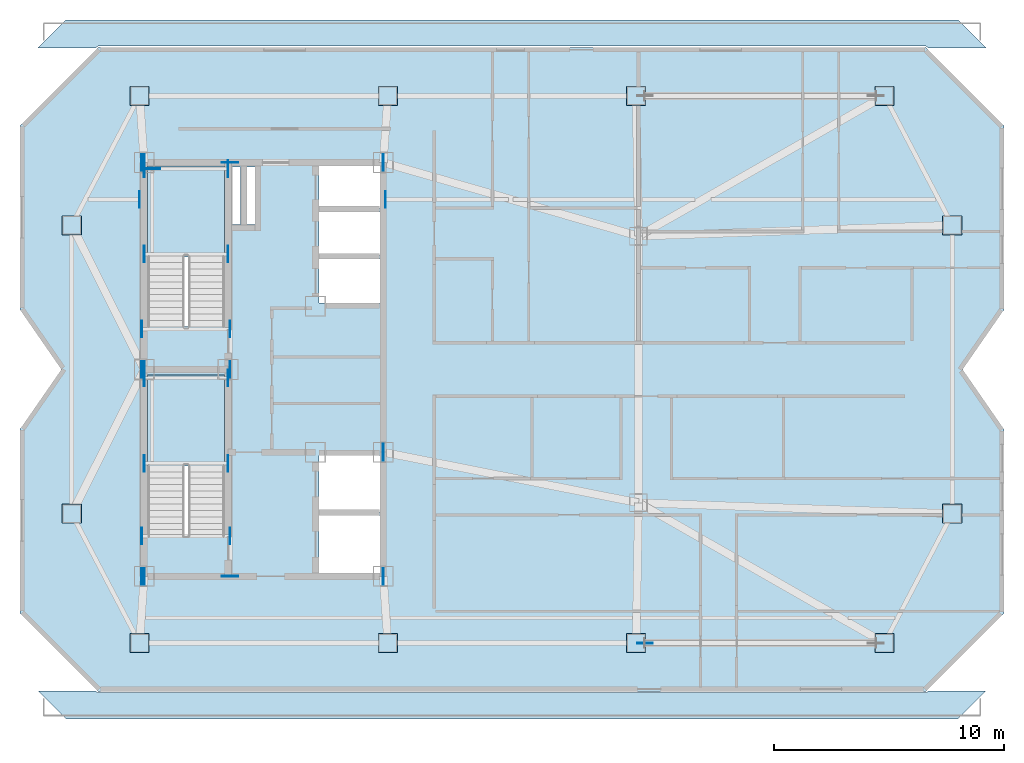
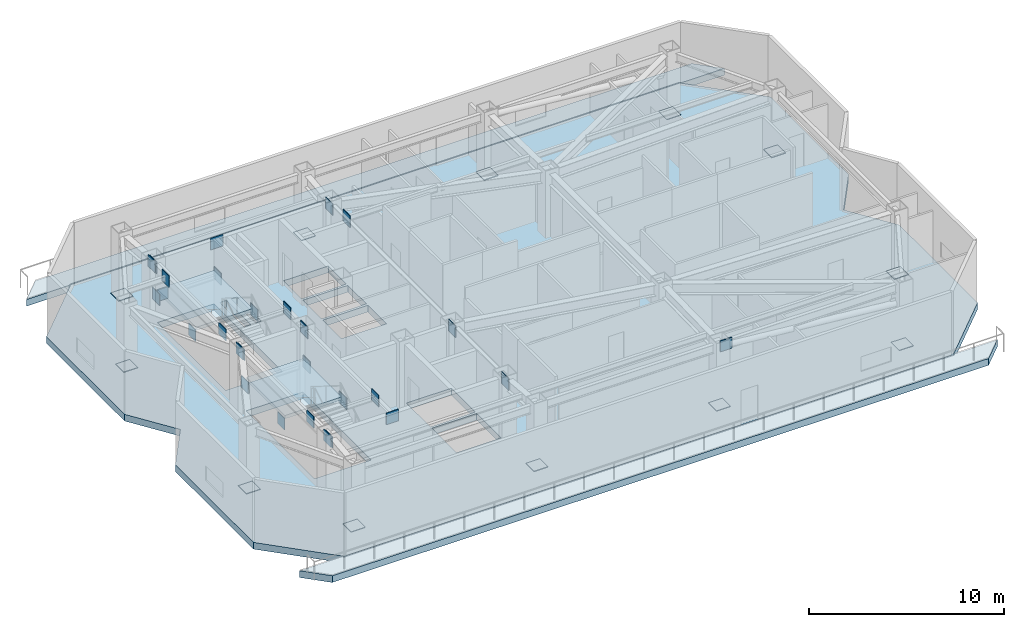
# One storey, part 2 of 11: 40 plates, 5 slabs, 2 elements without a shape of their own.
"""IFC4 building model written with IfcOpenShell, lengths in metres."""

import ifcopenshell
import ifcopenshell.guid

model = None  # the IFC model being written
_history = None  # IfcOwnerHistory: only IFC2X3 demands one
_inside = {}  # id of a spatial element -> (the spatial element, [elements in it])
_under = {}  # id of a project, library or spatial element -> (it, [spatial elements below it])
_declared = {}  # id of a project -> (the project, [libraries it declares])
_typed = {}  # id of a type object -> (the type object, [elements of that type])
_made_of = {}  # id of a material, layer set ... -> (it, [elements and type objects made of it])


def new_model(schema):
    """Start an empty IFC model of exactly this schema.

    Asked for "IFC4X3", IfcOpenShell would pick the latest addendum, in which some entities
    have other attributes; the version numbers below select the first issue.
    IFC2X3 requires an IfcOwnerHistory on every rooted entity: one is made here for all.
    """
    global model, _history
    if schema == "IFC4X3":
        model = ifcopenshell.file(schema_version=(4, 3, 0, 0))
    else:
        model = ifcopenshell.file(schema=schema)
    _inside.clear()
    _under.clear()
    _declared.clear()
    _typed.clear()
    _made_of.clear()
    _history = None
    if model.schema == "IFC2X3":
        org = make("IfcOrganization", Name="unknown")
        user = make(
            "IfcPersonAndOrganization",
            ThePerson=make("IfcPerson", FamilyName="unknown"),
            TheOrganization=org,
        )
        app = make(
            "IfcApplication",
            ApplicationDeveloper=org,
            Version="unknown",
            ApplicationFullName="unknown",
            ApplicationIdentifier="unknown",
        )
        _history = make(
            "IfcOwnerHistory",
            OwningUser=user,
            OwningApplication=app,
            ChangeAction="ADDED",
            CreationDate=0,
        )
    return model


def make(cls, **values):
    """One entity of the class cls with the attributes given. An attribute that is None is left unset."""
    return model.create_entity(
        cls, **{name: value for name, value in values.items() if value is not None}
    )


def rooted(cls, **values):
    """An entity with a GlobalId (a new one), such as an element, a storey or a relation."""
    return make(cls, GlobalId=ifcopenshell.guid.new(), OwnerHistory=_history, **values)


def si_unit(unit_type, name, prefix=None):
    """IfcSIUnit, for example si_unit("LENGTHUNIT", "METRE", prefix="MILLI")."""
    return make("IfcSIUnit", UnitType=unit_type, Prefix=prefix, Name=name)


def assignment(units):
    """IfcUnitAssignment: the units of a project."""
    return None if units is None else make("IfcUnitAssignment", Units=units)


def point(xyz):
    """IfcCartesianPoint."""
    return None if xyz is None else make("IfcCartesianPoint", Coordinates=xyz)


def direction(xyz):
    """IfcDirection."""
    return None if xyz is None else make("IfcDirection", DirectionRatios=xyz)


def frame(location, z_axis=None, x_axis=None):
    """IfcAxis2Placement3D, a coordinate frame: its origin and axes. An axis left out is left unset."""
    return make(
        "IfcAxis2Placement3D",
        Location=point(location),
        Axis=direction(z_axis),
        RefDirection=direction(x_axis),
    )


def frame_2d(location, x_axis=None):
    """IfcAxis2Placement2D, a coordinate frame in the plane: its origin and x axis."""
    return make(
        "IfcAxis2Placement2D", Location=point(location), RefDirection=direction(x_axis)
    )


def origin():
    """The frame at (0, 0, 0) with its axes left unset."""
    return frame((0.0, 0.0, 0.0))


def origin_2d():
    """The frame at (0, 0) in the plane with its x axis left unset."""
    return frame_2d((0.0, 0.0))


def place(relative_to, where):
    """IfcLocalPlacement: puts the frame where relative to a parent placement (None: the world)."""
    return make(
        "IfcLocalPlacement", PlacementRelTo=relative_to, RelativePlacement=where
    )


def context(
    kind, dimensions, precision=None, world=None, true_north=None, identifier=None
):
    """IfcGeometricRepresentationContext, for example the 3D "Model" context."""
    return make(
        "IfcGeometricRepresentationContext",
        ContextIdentifier=identifier,
        ContextType=kind,
        CoordinateSpaceDimension=dimensions,
        Precision=precision,
        WorldCoordinateSystem=world,
        TrueNorth=true_north,
    )


def subcontext(parent, identifier, kind, view, scale=None):
    """IfcGeometricRepresentationSubContext, for example "Body" below "Model"."""
    return make(
        "IfcGeometricRepresentationSubContext",
        ContextIdentifier=identifier,
        ContextType=kind,
        ParentContext=parent,
        TargetScale=scale,
        TargetView=view,
    )


def project(units=None, contexts=None):
    """IfcProject with its units and contexts."""
    return rooted(
        "IfcProject",
        Name="project",
        RepresentationContexts=contexts,
        UnitsInContext=assignment(units),
    )


def spatial(cls, under=None, at=None, **own):
    """A site, building, storey or space (cls), placed at a placement, below another one or the project."""
    s = rooted(cls, ObjectPlacement=at, **own)
    if under is not None:
        _under.setdefault(under.id(), (under, []))[1].append(s)
    return s


def polyline(points):
    """IfcPolyline through the points."""
    return make("IfcPolyline", Points=[point(p) for p in points])


def profile(cls, at=None, kind="AREA", **sizes):
    """A parametric profile (cls). Its sizes go by their IFC names, for example OverallWidth=200.0."""
    return make(cls, ProfileType=kind, Position=at, **sizes)


def rectangle(**sizes):
    """IfcRectangleProfileDef."""
    return profile("IfcRectangleProfileDef", **sizes)


def outline(outer, holes=None, kind="AREA"):
    """IfcArbitraryClosedProfileDef: a profile drawn as a closed curve; with holes, ...WithVoids."""
    if holes is None:
        return make("IfcArbitraryClosedProfileDef", ProfileType=kind, OuterCurve=outer)
    return make(
        "IfcArbitraryProfileDefWithVoids",
        ProfileType=kind,
        OuterCurve=outer,
        InnerCurves=holes,
    )


def extrude(swept, where, along, depth):
    """IfcExtrudedAreaSolid: the profile swept, set in the frame where, extruded along a direction by depth."""
    return make(
        "IfcExtrudedAreaSolid",
        SweptArea=swept,
        Position=where,
        ExtrudedDirection=direction(along),
        Depth=depth,
    )


def shape(context_of_items, identifier, shape_type, items):
    """IfcShapeRepresentation: the items that make up one representation, for example the "Body"."""
    return make(
        "IfcShapeRepresentation",
        ContextOfItems=context_of_items,
        RepresentationIdentifier=identifier,
        RepresentationType=shape_type,
        Items=items,
    )


def material(Name=None, Category=None):
    """IfcMaterial."""
    return make("IfcMaterial", Name=Name, Category=Category)


def layer(
    of_material, thickness, ventilated=None, Name=None, Category=None, Priority=None
):
    """IfcMaterialLayer: one layer of a wall or slab, of a material (None: an air gap)."""
    return make(
        "IfcMaterialLayer",
        Material=of_material,
        LayerThickness=thickness,
        IsVentilated=ventilated,
        Name=Name,
        Category=Category,
        Priority=Priority,
    )


def layer_set(layers, Name=None):
    """IfcMaterialLayerSet."""
    return make("IfcMaterialLayerSet", MaterialLayers=layers, LayerSetName=Name)


def made_of(thing, what):
    """Note that an element or type object is made of a material, layer set ...; save() writes the relation."""
    if what is not None:
        _made_of.setdefault(what.id(), (what, []))[1].append(thing)
    return thing


def type_object(cls, material=None, **own):
    """A type object (cls), such as IfcWallType, which elements share."""
    return made_of(rooted(cls, **own), material)


def element(
    cls,
    number,
    at=None,
    inside=None,
    cuts=None,
    type_object=None,
    material=None,
    context=None,
    identifier="Body",
    shape_type=None,
    held_by="IfcProductDefinitionShape",
    body=None,
    shapes=None,
    **own,
):
    """One element of the class cls, such as IfcWall. Its Tag is "e" and its number.

    at: its placement. inside: the storey or other place that contains it. cuts: it is an
    opening in that element (IfcRelVoidsElement). A single representation is given by context,
    identifier, shape_type and body (its items); several are given by shapes. held_by: the class
    of the entity that holds the representations. save() writes the other relations.
    """
    e = rooted(cls, Tag="e%d" % number, ObjectPlacement=at, **own)
    if body is not None:
        shapes = [shape(context, identifier, shape_type, body)]
    if shapes is not None:
        e.Representation = make(held_by, Representations=shapes)
    if inside is not None:
        _inside.setdefault(inside.id(), (inside, []))[1].append(e)
    if cuts is not None:
        rooted(
            "IfcRelVoidsElement", RelatingBuildingElement=cuts, RelatedOpeningElement=e
        )
    if type_object is not None:
        _typed.setdefault(type_object.id(), (type_object, []))[1].append(e)
    return made_of(e, material)


def aggregate(whole, parts):
    """IfcRelAggregates: a whole, such as a stair, and the parts it consists of."""
    return rooted("IfcRelAggregates", RelatingObject=whole, RelatedObjects=parts)


def save(model, path):
    """Write the relations noted so far, then the file.

    IfcRelAggregates (storeys below a building ...), IfcRelContainedInSpatialStructure (elements
    in a storey), IfcRelDefinesByType, IfcRelAssociatesMaterial and IfcRelDeclares: one each for
    every whole, place, type object, material and project.
    """
    for whole, parts in _under.values():
        aggregate(whole, parts)
    for where, things in _inside.values():
        rooted(
            "IfcRelContainedInSpatialStructure",
            RelatedElements=things,
            RelatingStructure=where,
        )
    for kind, things in _typed.values():
        rooted("IfcRelDefinesByType", RelatedObjects=things, RelatingType=kind)
    for what, things in _made_of.values():
        rooted("IfcRelAssociatesMaterial", RelatedObjects=things, RelatingMaterial=what)
    for by, libraries in _declared.values():
        rooted("IfcRelDeclares", RelatingContext=by, RelatedDefinitions=libraries)
    model.write(path)


model = new_model("IFC4")

# Units and contexts
model_context = context("Model", 3, precision=1e-05, world=origin(), true_north=direction((0.0, 1.0)))
body_context = subcontext(model_context, "Body", "Model", "MODEL_VIEW")
ifc_project = project(units=[si_unit("LENGTHUNIT", "METRE"), si_unit("AREAUNIT", "SQUARE_METRE"), si_unit("VOLUMEUNIT", "CUBIC_METRE"), si_unit("PLANEANGLEUNIT", "RADIAN"), si_unit("MASSUNIT", "GRAM", prefix="KILO")], contexts=[model_context])

# Site, building, storey
site_placement = place(None, origin())
site = spatial("IfcSite", under=ifc_project, at=site_placement, CompositionType="ELEMENT")
building_placement = place(site_placement, origin())
building = spatial("IfcBuilding", under=site, at=building_placement, Name="Khamvora Tower", CompositionType="ELEMENT")
storey_placement = place(building_placement, frame((0.0, 0.0, 277.85009765625)))
storey = spatial("IfcBuildingStorey", under=building, at=storey_placement, Name="L71", CompositionType="ELEMENT", Elevation=277.85009765625)

# Plates
ifc_material_1 = material(Name="Steel S355", Category="steel")
ifc_layer_1 = layer(ifc_material_1, 0.02490234375)
ifc_layer_set_1 = layer_set([ifc_layer_1], Name="Steel S355")
plate_type_1 = type_object("IfcPlateType", Name="PL-CAP-25", PredefinedType="SHEET", material=ifc_layer_set_1)
for number, where, z_axis, x_axis, name in (
    (1, (28.800048828125, 16.10009765625, 0.00048828125), (0.0, 0.0, 1.0), (1.0, 0.0, 0.0), "L71 hollow section steel end cap plate 0286"),
    (2, (39.60009765625, 16.10009765625, 0.00048828125), (0.0, 0.0, 1.0), (1.0, 0.0, 0.0), "L71 hollow section steel end cap plate 0288"),
    (3, (50.39990234375, 16.10009765625, 0.00048828125), (0.0, 0.0, 1.0), (1.0, 0.0, 0.0), "L71 hollow section steel end cap plate 0290"),
    (4, (61.199951171875, 16.10009765625, 0.00048828125), (0.0, 0.0, 1.0), (1.0, 0.0, 0.0), "L71 hollow section steel end cap plate 0292"),
    (5, (28.800048828125, 39.89990234375, 0.00048828125), (0.0, 0.0, 1.0), (1.0, 0.0, 0.0), "L71 hollow section steel end cap plate 0294"),
    (6, (39.60009765625, 39.89990234375, 0.00048828125), (0.0, 0.0, 1.0), (1.0, 0.0, 0.0), "L71 hollow section steel end cap plate 0296"),
    (7, (50.39990234375, 39.89990234375, 0.00048828125), (0.0, 0.0, 1.0), (1.0, 0.0, 0.0), "L71 hollow section steel end cap plate 0298"),
    (8, (61.199951171875, 39.89990234375, 0.00048828125), (0.0, 0.0, 1.0), (1.0, 0.0, 0.0), "L71 hollow section steel end cap plate 0300"),
    (9, (25.85009765625, 21.72998046875, 0.00048828125), (0.0, 0.0, 1.0), (1.0, 0.0, 0.0), "L71 hollow section steel end cap plate 0302"),
    (10, (25.85009765625, 34.27001953125, 0.00048828125), (0.0, 0.0, 1.0), (1.0, 0.0, 0.0), "L71 hollow section steel end cap plate 0304"),
    (11, (64.14990234375, 21.72998046875, 0.00048828125), (0.0, 0.0, 1.0), (1.0, 0.0, 0.0), "L71 hollow section steel end cap plate 0306"),
    (12, (64.14990234375, 34.27001953125, 0.00048828125), (0.0, 0.0, 1.0), (1.0, 0.0, 0.0), "L71 hollow section steel end cap plate 0308"),
):
    element("IfcPlate", number, at=place(storey_placement, frame(where, z_axis=z_axis, x_axis=x_axis)), inside=storey, type_object=plate_type_1, Name=name, PredefinedType="SHEET", context=body_context, shape_type="SweptSolid", body=[
        extrude(rectangle(XDim=0.830078125, YDim=0.830078125, at=origin_2d()), origin(), (0.0, 0.0, 1.0), 0.02490234375),
    ])
ifc_material_2 = material(Name="Steel S460", Category="steel")
ifc_layer_2 = layer(ifc_material_2, 0.034912109375)
ifc_layer_set_2 = layer_set([ifc_layer_2], Name="Steel S460")
plate_type_2 = type_object("IfcPlateType", Name="PL-EMB-35", PredefinedType="SHEET", material=ifc_layer_set_2)
for number, where, z_axis, x_axis, name in (
    (13, (29.0, 23.9150390625, 1.40869140625), (0.0, 0.0, 1.0), (1.0, 0.0, 0.0), "L71 core shear wall cast-in embed plate 2070"),
    (14, (32.64990234375, 23.9150390625, 1.40869140625), (0.0, 0.0, 1.0), (1.0, 0.0, 0.0), "L71 core shear wall cast-in embed plate 2071"),
    (15, (29.0, 27.6298828125, 1.40869140625), (0.0, 0.0, 1.0), (1.0, 0.0, 0.0), "L71 core shear wall cast-in embed plate 2072"),
    (16, (32.64990234375, 27.6298828125, 1.40869140625), (0.0, 0.0, 1.0), (1.0, 0.0, 0.0), "L71 core shear wall cast-in embed plate 2073"),
    (17, (29.0, 33.014892578125, 1.40869140625), (0.0, 0.0, 1.0), (1.0, 0.0, 0.0), "L71 core shear wall cast-in embed plate 2074"),
    (18, (32.64990234375, 33.014892578125, 1.40869140625), (0.0, 0.0, 1.0), (1.0, 0.0, 0.0), "L71 core shear wall cast-in embed plate 2075"),
    (19, (29.0, 36.72998046875, 1.40869140625), (0.0, 0.0, 1.0), (1.0, 0.0, 0.0), "L71 core shear wall cast-in embed plate 2076"),
    (20, (32.64990234375, 36.72998046875, 1.40869140625), (0.0, 0.0, 1.0), (1.0, 0.0, 0.0), "L71 core shear wall cast-in embed plate 2077"),
):
    element("IfcPlate", number, at=place(storey_placement, frame(where, z_axis=z_axis, x_axis=x_axis)), inside=storey, type_object=plate_type_2, Name=name, PredefinedType="SHEET", context=body_context, shape_type="SweptSolid", body=[
        extrude(rectangle(XDim=0.034912109375, YDim=0.719970703125, at=origin_2d()), origin(), (0.0, 0.0, 1.0), 0.719970703125),
    ])
plate_1_placement = place(storey_placement, frame((29.35009765625, 36.72998046875, 1.40869140625), z_axis=(0.0, 0.0, 1.0), x_axis=(1.0, 0.0, 0.0)))
element("IfcPlate", 21, at=plate_1_placement, inside=storey, type_object=plate_type_2, Name="L71 core shear wall cast-in embed plate 2078", PredefinedType="SHEET", context=body_context, shape_type="SweptSolid", body=[
    extrude(rectangle(XDim=0.719970703125, YDim=0.034912109375, at=origin_2d()), origin(), (0.0, 0.0, 1.0), 0.719970703125),
])
for number, where, z_axis, x_axis, name in (
    (22, (29.0, 19.0, 3.24169921875), (0.0, 0.0, 1.0), (1.0, 0.0, 0.0), "L71 core shear wall cast-in embed plate 2079"),
    (23, (39.39990234375, 19.0, 3.24169921875), (0.0, 0.0, 1.0), (1.0, 0.0, 0.0), "L71 core shear wall cast-in embed plate 2080"),
    (24, (29.0, 37.0, 3.24169921875), (0.0, 0.0, 1.0), (1.0, 0.0, 0.0), "L71 core shear wall cast-in embed plate 2081"),
    (25, (39.39990234375, 37.0, 3.24169921875), (0.0, 0.0, 1.0), (1.0, 0.0, 0.0), "L71 core shear wall cast-in embed plate 2082"),
    (26, (29.0, 28.0, 3.24169921875), (0.0, 0.0, 1.0), (1.0, 0.0, 0.0), "L71 core shear wall cast-in embed plate 2083"),
    (27, (39.39990234375, 24.39990234375, 3.24169921875), (0.0, 0.0, 1.0), (1.0, 0.0, 0.0), "L71 core shear wall cast-in embed plate 2084"),
    (28, (28.89990234375, 19.0, 3.32373046875), (0.0, 0.0, 1.0), (1.0, 0.0, 0.0), "L71 core shear wall cast-in embed plate 2085"),
    (29, (28.89990234375, 28.0, 3.32373046875), (0.0, 0.0, 1.0), (1.0, 0.0, 0.0), "L71 core shear wall cast-in embed plate 2086"),
    (30, (28.89990234375, 37.0, 3.32373046875), (0.0, 0.0, 1.0), (1.0, 0.0, 0.0), "L71 core shear wall cast-in embed plate 2087"),
):
    element("IfcPlate", number, at=place(storey_placement, frame(where, z_axis=z_axis, x_axis=x_axis)), inside=storey, type_object=plate_type_2, Name=name, PredefinedType="SHEET", context=body_context, shape_type="SweptSolid", body=[
        extrude(rectangle(XDim=0.034912109375, YDim=0.719970703125, at=origin_2d()), origin(), (0.0, 0.0, 1.0), 0.719970703125),
    ])
plate_2_placement = place(storey_placement, frame((32.72998046875, 19.0, 3.32373046875), z_axis=(0.0, 0.0, 1.0), x_axis=(1.0, 0.0, 0.0)))
element("IfcPlate", 31, at=plate_2_placement, inside=storey, type_object=plate_type_2, Name="L71 core shear wall cast-in embed plate 2088", PredefinedType="SHEET", context=body_context, shape_type="SweptSolid", body=[
    extrude(rectangle(XDim=0.719970703125, YDim=0.034912109375, at=origin_2d()), origin(), (0.0, 0.0, 1.0), 0.719970703125),
])
plate_3_placement = place(storey_placement, frame((32.72998046875, 28.0, 3.32373046875), z_axis=(0.0, 0.0, 1.0), x_axis=(1.0, 0.0, 0.0)))
element("IfcPlate", 32, at=plate_3_placement, inside=storey, type_object=plate_type_2, Name="L71 core shear wall cast-in embed plate 2089", PredefinedType="SHEET", context=body_context, shape_type="SweptSolid", body=[
    extrude(rectangle(XDim=0.034912109375, YDim=0.719970703125, at=origin_2d()), origin(), (0.0, 0.0, 1.0), 0.719970703125),
])
plate_4_placement = place(storey_placement, frame((32.72998046875, 37.0, 3.32373046875), z_axis=(0.0, 0.0, 1.0), x_axis=(1.0, 0.0, 0.0)))
element("IfcPlate", 33, at=plate_4_placement, inside=storey, type_object=plate_type_2, Name="L71 core shear wall cast-in embed plate 2090", PredefinedType="SHEET", context=body_context, shape_type="SweptSolid", body=[
    extrude(rectangle(XDim=0.719970703125, YDim=0.034912109375, at=origin_2d()), origin(), (0.0, 0.0, 1.0), 0.719970703125),
])
for number, where, z_axis, x_axis, name in (
    (34, (28.89990234375, 20.75, 3.4638671875), (0.0, 0.0, 1.0), (1.0, 0.0, 0.0), "L71 core shear wall cast-in embed plate 2091"),
    (35, (32.72998046875, 20.75, 3.4638671875), (0.0, 0.0, 1.0), (1.0, 0.0, 0.0), "L71 core shear wall cast-in embed plate 2092"),
    (36, (28.89990234375, 29.75, 3.4638671875), (0.0, 0.0, 1.0), (1.0, 0.0, 0.0), "L71 core shear wall cast-in embed plate 2093"),
    (37, (32.72998046875, 29.75, 3.4638671875), (0.0, 0.0, 1.0), (1.0, 0.0, 0.0), "L71 core shear wall cast-in embed plate 2094"),
    (38, (28.800048828125, 35.39990234375, 3.4130859375), (0.0, 0.0, 1.0), (1.0, 0.0, 0.0), "L71 core shear wall cast-in embed plate 2095"),
    (39, (39.4990234375, 35.39990234375, 3.4130859375), (0.0, 0.0, 1.0), (1.0, 0.0, 0.0), "L71 core shear wall cast-in embed plate 2096"),
):
    element("IfcPlate", number, at=place(storey_placement, frame(where, z_axis=z_axis, x_axis=x_axis)), inside=storey, type_object=plate_type_2, Name=name, PredefinedType="SHEET", context=body_context, shape_type="SweptSolid", body=[
        extrude(rectangle(XDim=0.034912109375, YDim=0.719970703125, at=origin_2d()), origin(), (0.0, 0.0, 1.0), 0.719970703125),
    ])
ifc_layer_3 = layer(ifc_material_2, 0.0400390625)
ifc_layer_set_3 = layer_set([ifc_layer_3], Name="Steel S460")
plate_type_3 = type_object("IfcPlateType", Name="PLT-GUS-40", PredefinedType="SHEET", material=ifc_layer_set_3)
plate_5_placement = place(storey_placement, frame((50.778076171875, 16.10009765625, 3.30908203125), z_axis=(0.0, 0.0, 1.0), x_axis=(1.0, 0.0, 0.0)))
element("IfcPlate", 40, at=plate_5_placement, inside=storey, type_object=plate_type_3, Name="L71 brace connection node gusset plate 0442", PredefinedType="SHEET", context=body_context, shape_type="SweptSolid", body=[
    extrude(rectangle(XDim=0.679931640625, YDim=0.0400390625, at=origin_2d()), origin(), (0.0, 0.0, 1.0), 0.679931640625),
])

# Slabs
ifc_material_3 = material(Name="Concrete C40/50", Category="concrete")
ifc_layer_4 = layer(ifc_material_3, 0.419921875)
ifc_layer_set_4 = layer_set([ifc_layer_4], Name="Concrete C40/50")
slab_type_1 = type_object("IfcSlabType", Name="SLB-BASE-420", PredefinedType="FLOOR", material=ifc_layer_set_4)
slab_1_placement = place(storey_placement, frame((0.0, 0.0, -0.420166015625)))
element("IfcSlab", 41, at=slab_1_placement, inside=storey, type_object=slab_type_1, Name="L71 structural floor slab", PredefinedType="FLOOR", context=body_context, shape_type="SweptSolid", body=[
    extrude(outline(polyline([(27.0, 14.0), (63.0, 14.0), (66.39990234375, 17.39990234375), (66.39990234375, 25.39990234375), (64.60009765625, 28.0), (66.39990234375, 30.60009765625), (66.39990234375, 38.60009765625), (63.0, 42.0), (27.0, 42.0), (23.60009765625, 38.60009765625), (23.60009765625, 30.60009765625), (25.39990234375, 28.0), (23.60009765625, 25.39990234375), (23.60009765625, 17.39990234375), (27.0, 14.0)]), holes=[polyline([(32.5, 20.760009765625), (32.5, 27.75), (29.14990234375, 27.75), (29.14990234375, 20.760009765625), (32.5, 20.760009765625)]), polyline([(32.5, 29.860107421875), (32.5, 36.85009765625), (29.14990234375, 36.85009765625), (29.14990234375, 29.860107421875), (32.5, 29.860107421875)]), polyline([(36.60009765625, 19.14990234375), (39.25, 19.14990234375), (39.25, 21.64990234375), (36.60009765625, 21.64990234375), (36.60009765625, 19.14990234375)]), polyline([(36.60009765625, 21.800048828125), (39.25, 21.800048828125), (39.25, 24.25), (36.60009765625, 24.25), (36.60009765625, 21.800048828125)]), polyline([(36.60009765625, 30.89990234375), (39.25, 30.89990234375), (39.25, 32.800048828125), (36.60009765625, 32.800048828125), (36.60009765625, 30.89990234375)]), polyline([(36.60009765625, 32.949951171875), (39.25, 32.949951171875), (39.25, 34.85009765625), (36.60009765625, 34.85009765625), (36.60009765625, 32.949951171875)]), polyline([(36.60009765625, 35.0), (39.25, 35.0), (39.25, 36.85009765625), (36.60009765625, 36.85009765625), (36.60009765625, 35.0)]), polyline([(32.800048828125, 34.300048828125), (33.199951171875, 34.300048828125), (33.199951171875, 36.800048828125), (32.800048828125, 36.800048828125), (32.800048828125, 34.300048828125)]), polyline([(33.47998046875, 34.300048828125), (33.820068359375, 34.300048828125), (33.820068359375, 36.800048828125), (33.47998046875, 36.800048828125), (33.47998046875, 34.300048828125)])]), origin(), (0.0, 0.0, 1.0), 0.420166015625),
])
ifc_layer_5 = layer(ifc_material_3, 0.419921875)
ifc_layer_set_5 = layer_set([ifc_layer_5], Name="Concrete C40/50")
slab_type_2 = type_object("IfcSlabType", Name="SLB-GRD-420", PredefinedType="FLOOR", material=ifc_layer_set_5)
slab_2_placement = place(storey_placement, frame((0.0, 0.0, -0.420166015625)))
element("IfcSlab", 42, at=slab_2_placement, inside=storey, type_object=slab_type_2, Name="Stepped outdoor roof terrace slab 1", PredefinedType="FLOOR", context=body_context, shape_type="SweptSolid", body=[
    extrude(outline(polyline([(64.39990234375, 12.800048828125), (25.60009765625, 12.800048828125), (24.3798828125, 14.02001953125), (26.89501953125, 14.02001953125), (26.9580078125, 13.9580078125), (26.9619140625, 13.9541015625), (26.967041015625, 13.949951171875), (26.971923828125, 13.947021484375), (26.97705078125, 13.945068359375), (26.98291015625, 13.943115234375), (26.988037109375, 13.94091796875), (26.993896484375, 13.93994140625), (27.0, 13.93994140625), (63.0, 13.93994140625), (63.006103515625, 13.93994140625), (63.011962890625, 13.94091796875), (63.01708984375, 13.943115234375), (63.02294921875, 13.945068359375), (63.028076171875, 13.947021484375), (63.032958984375, 13.949951171875), (63.0380859375, 13.9541015625), (63.0419921875, 13.9580078125), (63.10498046875, 14.02001953125), (65.6201171875, 14.02001953125), (64.39990234375, 12.800048828125)])), origin(), (0.0, 0.0, 1.0), 0.420166015625),
])
slab_3_placement = place(storey_placement, frame((0.0, 0.0, -0.420166015625)))
element("IfcSlab", 43, at=slab_3_placement, inside=storey, type_object=slab_type_2, Name="Stepped outdoor roof terrace slab 2", PredefinedType="FLOOR", context=body_context, shape_type="SweptSolid", body=[
    extrude(outline(polyline([(25.60009765625, 43.199951171875), (64.39990234375, 43.199951171875), (65.6201171875, 41.97998046875), (63.10498046875, 41.97998046875), (63.0419921875, 42.0419921875), (63.0380859375, 42.0458984375), (63.032958984375, 42.050048828125), (63.028076171875, 42.052978515625), (63.02294921875, 42.054931640625), (63.01708984375, 42.056884765625), (63.011962890625, 42.05908203125), (63.006103515625, 42.06005859375), (63.0, 42.06005859375), (27.0, 42.06005859375), (26.993896484375, 42.06005859375), (26.988037109375, 42.05908203125), (26.98291015625, 42.056884765625), (26.97705078125, 42.054931640625), (26.971923828125, 42.052978515625), (26.967041015625, 42.050048828125), (26.9619140625, 42.0458984375), (26.9580078125, 42.0419921875), (26.89501953125, 41.97998046875), (24.3798828125, 41.97998046875), (25.60009765625, 43.199951171875)])), origin(), (0.0, 0.0, 1.0), 0.420166015625),
])

# Stair, slab
stair_type_1 = type_object("IfcStairType", Name="STR-ST-01", PredefinedType="HALF_TURN_STAIR", material=ifc_material_3)
stair_1_placement = place(storey_placement, origin())
stair_1 = element("IfcStair", 44, at=stair_1_placement, inside=storey, type_object=stair_type_1, Name="L71 South Tower Exit Stair ST-01", PredefinedType="HALF_TURN_STAIR")
ifc_layer_6 = layer(ifc_material_3, 0.199951171875)
ifc_layer_set_6 = layer_set([ifc_layer_6], Name="Concrete C40/50")
slab_type_3 = type_object("IfcSlabType", Name="SLB-LND-200", PredefinedType="LANDING", material=ifc_layer_set_6)
slab_4_placement = place(storey_placement, frame((0.0, 0.0, 1.89990234375)))
slab_4 = element("IfcSlab", 45, at=slab_4_placement, type_object=slab_type_3, Name="ST-01 landing 1", PredefinedType="LANDING", context=body_context, shape_type="SweptSolid", body=[
    extrude(outline(polyline([(32.5, 23.794921875), (32.5, 27.75), (29.14990234375, 27.75), (29.14990234375, 23.794921875), (32.5, 23.794921875)])), origin(), (0.0, 0.0, 1.0), 0.199951171875),
])
aggregate(stair_1, [slab_4])

stair_type_2 = type_object("IfcStairType", Name="STR-ST-02", PredefinedType="HALF_TURN_STAIR", material=ifc_material_3)
stair_2_placement = place(storey_placement, origin())
stair_2 = element("IfcStair", 46, at=stair_2_placement, inside=storey, type_object=stair_type_2, Name="L71 North Tower Exit Stair ST-02", PredefinedType="HALF_TURN_STAIR")
slab_5_placement = place(storey_placement, frame((0.0, 0.0, 1.89990234375)))
slab_5 = element("IfcSlab", 47, at=slab_5_placement, type_object=slab_type_3, Name="ST-02 landing 1", PredefinedType="LANDING", context=body_context, shape_type="SweptSolid", body=[
    extrude(outline(polyline([(32.5, 32.89501953125), (32.5, 36.85009765625), (29.14990234375, 36.85009765625), (29.14990234375, 32.89501953125), (32.5, 32.89501953125)])), origin(), (0.0, 0.0, 1.0), 0.199951171875),
])
aggregate(stair_2, [slab_5])

save(model, "model.ifc")
